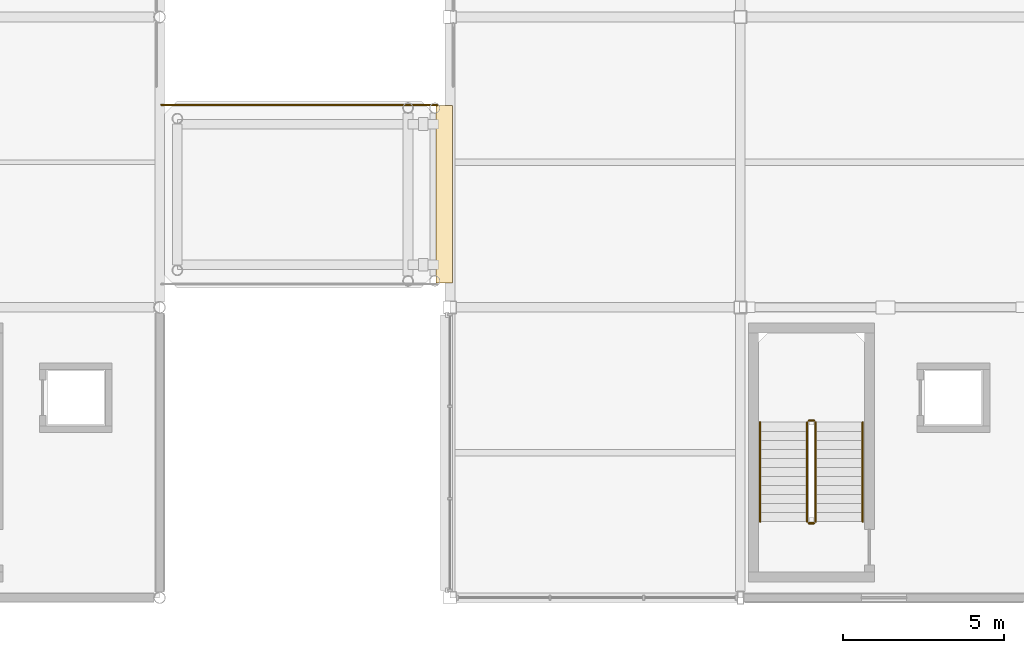
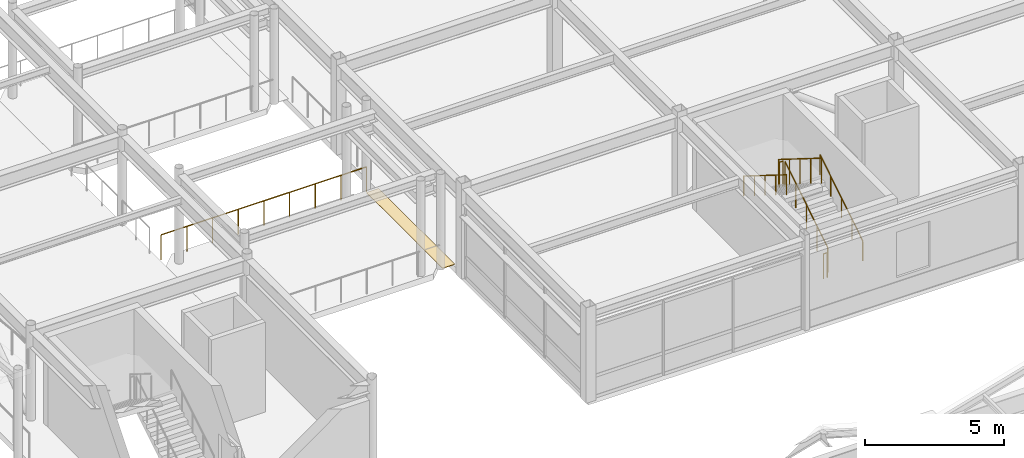
# One storey, part 97 of 108: 7 railings, 1 covering.
"""IFC4 building model written with IfcOpenShell, lengths in metres."""

from ifc_helpers import new_model, si_unit, direction, frame, origin, origin_2d, place, context, subcontext, project, spatial, polyline, circle, outline, extrude, material, layer, layer_set, type_object, element, save


model = new_model("IFC4")

# Units and contexts
model_context = context("Model", 3, precision=1e-05, world=origin(), true_north=direction((0.0, 1.0)))
body_context = subcontext(model_context, "Body", "Model", "MODEL_VIEW")
ifc_project = project(units=[si_unit("LENGTHUNIT", "METRE"), si_unit("AREAUNIT", "SQUARE_METRE"), si_unit("VOLUMEUNIT", "CUBIC_METRE"), si_unit("PLANEANGLEUNIT", "RADIAN"), si_unit("MASSUNIT", "GRAM", prefix="KILO")], contexts=[model_context])

# Site, building, storey
site_placement = place(None, origin())
site = spatial("IfcSite", under=ifc_project, at=site_placement, CompositionType="ELEMENT")
building_placement = place(site_placement, origin())
building = spatial("IfcBuilding", under=site, at=building_placement, Name="Suzunagisa Mobility Hub", CompositionType="ELEMENT")
storey_placement = place(building_placement, frame((0.0, 0.0, 9.300048828125)))
storey = spatial("IfcBuildingStorey", under=building, at=storey_placement, Name="L02", CompositionType="ELEMENT", Elevation=9.300048828125)

# Railings
ifc_material_1 = material(Name="Stainless Steel SUS304", Category="metal")
railing_type_1 = type_object("IfcRailingType", Name="Interior Well Guardrail IGR-01", PredefinedType="GUARDRAIL", material=ifc_material_1)
railing_1_placement = place(storey_placement, frame((56.330078125, 82.360107421875, 0.175048828125)))
element("IfcRailing", 1, at=railing_1_placement, inside=storey, type_object=railing_type_1, Name="L02 ST-07 stair guard 1", PredefinedType="GUARDRAIL", context=body_context, shape_type="SweptSolid", body=[
    extrude(circle(Radius=0.02392578125, at=origin_2d()), frame((0.0, 0.0, 1.09619140625), z_axis=(0.0, 0.848009633417, 0.529980812513), x_axis=(-1.0, 0.0, 0.0)), (0.0, 0.0, 1.0), 3.6318359375),
    extrude(circle(Radius=0.02099609375, at=origin_2d()), origin(), (0.0, 0.0, 1.0), 1.072021484375),
    extrude(circle(Radius=0.02099609375, at=origin_2d()), frame((0.0, 0.77001953125, 0.481201171875)), (0.0, 0.0, 1.0), 1.072021484375),
    extrude(circle(Radius=0.02099609375, at=origin_2d()), frame((0.0, 1.5400390625, 0.96240234375)), (0.0, 0.0, 1.0), 1.072021484375),
    extrude(circle(Radius=0.02099609375, at=origin_2d()), frame((0.0, 2.309814453125, 1.443603515625)), (0.0, 0.0, 1.0), 1.072021484375),
    extrude(circle(Radius=0.02099609375, at=origin_2d()), frame((0.0, 3.079833984375, 1.9248046875)), (0.0, 0.0, 1.0), 1.072021484375),
])
railing_2_placement = place(storey_placement, frame((56.280029296875, 85.489990234375, 2.099853515625)))
element("IfcRailing", 2, at=railing_2_placement, inside=storey, type_object=railing_type_1, Name="L02 ST-07 stair guard 2", PredefinedType="GUARDRAIL", context=body_context, shape_type="SweptSolid", body=[
    extrude(circle(Radius=0.02392578125, at=origin_2d()), frame((0.0, 0.0, 1.09619140625), z_axis=(-1.0, 0.0, 0.0), x_axis=(0.0, -1.0, 0.0)), (0.0, 0.0, 1.0), 0.159912109375),
    extrude(circle(Radius=0.02099609375, at=origin_2d()), origin(), (0.0, 0.0, 1.0), 1.072021484375),
    extrude(circle(Radius=0.02099609375, at=origin_2d()), frame((-0.159912109375, 0.0, 0.0)), (0.0, 0.0, 1.0), 1.072021484375),
])
railing_3_placement = place(storey_placement, frame((56.070068359375, 85.43994140625, 2.27490234375)))
element("IfcRailing", 3, at=railing_3_placement, inside=storey, type_object=railing_type_1, Name="L02 ST-07 stair guard 3", PredefinedType="GUARDRAIL", context=body_context, shape_type="SweptSolid", body=[
    extrude(circle(Radius=0.02392578125, at=origin_2d()), frame((0.0, 0.0, 1.09619140625), z_axis=(0.0, -0.847979421464, 0.530029150871), x_axis=(1.0, 0.0, 0.0)), (0.0, 0.0, 1.0), 3.632080078125),
    extrude(circle(Radius=0.02099609375, at=origin_2d()), origin(), (0.0, 0.0, 1.0), 1.072021484375),
    extrude(circle(Radius=0.02099609375, at=origin_2d()), frame((0.0, -0.77001953125, 0.481201171875)), (0.0, 0.0, 1.0), 1.072021484375),
    extrude(circle(Radius=0.02099609375, at=origin_2d()), frame((0.0, -1.5400390625, 0.96240234375)), (0.0, 0.0, 1.0), 1.072021484375),
    extrude(circle(Radius=0.02099609375, at=origin_2d()), frame((0.0, -2.309814453125, 1.44384765625)), (0.0, 0.0, 1.0), 1.072021484375),
    extrude(circle(Radius=0.02099609375, at=origin_2d()), frame((0.0, -3.079833984375, 1.925048828125)), (0.0, 0.0, 1.0), 1.072021484375),
])
railing_4_placement = place(storey_placement, frame((56.280029296875, 82.31005859375, 0.0)))
element("IfcRailing", 4, at=railing_4_placement, inside=storey, type_object=railing_type_1, Name="L02 ST-07 stair guard 4", PredefinedType="GUARDRAIL", context=body_context, shape_type="SweptSolid", body=[
    extrude(circle(Radius=0.02392578125, at=origin_2d()), frame((0.0, 0.0, 1.09619140625), z_axis=(-1.0, 0.0, 0.0), x_axis=(0.0, -1.0, 0.0)), (0.0, 0.0, 1.0), 0.159912109375),
    extrude(circle(Radius=0.02099609375, at=origin_2d()), origin(), (0.0, 0.0, 1.0), 1.072021484375),
    extrude(circle(Radius=0.02099609375, at=origin_2d()), frame((-0.159912109375, 0.0, 0.0)), (0.0, 0.0, 1.0), 1.072021484375),
])

# Covering
ifc_material_2 = material(Name="Polished Aggregate Terrazzo Finish")
ifc_layer = layer(ifc_material_2, 0.02001953125)
ifc_layer_set = layer_set([ifc_layer], Name="Polished Aggregate Terrazzo Finish")
covering_type = type_object("IfcCoveringType", Name="Polished Terrazzo Heavy-Traffic Flooring FLR-01", PredefinedType="FLOORING", material=ifc_layer_set)
covering_placement = place(storey_placement, frame((0.0, 0.0, -0.02001953125)))
element("IfcCovering", 5, at=covering_placement, inside=storey, type_object=covering_type, Name="L02 Flush Hinged Seismic Threshold Plate VRL-L02-S", PredefinedType="FLOORING", context=body_context, shape_type="SweptSolid", body=[
    extrude(outline(polyline([(44.570068359375, 89.75), (45.080078125, 89.75), (45.080078125, 95.25), (44.570068359375, 95.25), (44.570068359375, 89.75)])), origin(), (0.0, 0.0, 1.0), 0.02001953125),
])

# Railings
ifc_material_3 = material(Name="Stainless Steel SUS316", Category="metal")
railing_type_2 = type_object("IfcRailingType", Name="Terrace Stainless Steel Guardrail GR-01", PredefinedType="GUARDRAIL", material=ifc_material_3)
railing_5_placement = place(storey_placement, frame((36.050048828125, 95.280029296875, 0.0)))
element("IfcRailing", 6, at=railing_5_placement, inside=storey, type_object=railing_type_2, Name="L02 Bridge Edge Guardrail VRL-L02-S-80", PredefinedType="GUARDRAIL", context=body_context, shape_type="SweptSolid", body=[
    extrude(circle(Radius=0.02392578125, at=origin_2d()), frame((0.0, 0.0, 1.09619140625), z_axis=(1.0, 0.0, 0.0), x_axis=(0.0, 1.0, 0.0)), (0.0, 0.0, 1.0), 8.550048828125),
    extrude(circle(Radius=0.02099609375, at=origin_2d()), origin(), (0.0, 0.0, 1.0), 1.072021484375),
    extrude(circle(Radius=0.02099609375, at=origin_2d()), frame((1.06884765625, 0.0, 0.0)), (0.0, 0.0, 1.0), 1.072021484375),
    extrude(circle(Radius=0.02099609375, at=origin_2d()), frame((2.137451171875, 0.0, 0.0)), (0.0, 0.0, 1.0), 1.072021484375),
    extrude(circle(Radius=0.02099609375, at=origin_2d()), frame((3.206298828125, 0.0, 0.0)), (0.0, 0.0, 1.0), 1.072021484375),
    extrude(circle(Radius=0.02099609375, at=origin_2d()), frame((4.27490234375, 0.0, 0.0)), (0.0, 0.0, 1.0), 1.072021484375),
    extrude(circle(Radius=0.02099609375, at=origin_2d()), frame((5.34375, 0.0, 0.0)), (0.0, 0.0, 1.0), 1.072021484375),
    extrude(circle(Radius=0.02099609375, at=origin_2d()), frame((6.41259765625, 0.0, 0.0)), (0.0, 0.0, 1.0), 1.072021484375),
    extrude(circle(Radius=0.02099609375, at=origin_2d()), frame((7.481201171875, 0.0, 0.0)), (0.0, 0.0, 1.0), 1.072021484375),
    extrude(circle(Radius=0.02099609375, at=origin_2d()), frame((8.550048828125, 0.0, 0.0)), (0.0, 0.0, 1.0), 1.072021484375),
])
railing_type_3 = type_object("IfcRailingType", Name="Tubular Stainless Stair Handrail IHR-01", PredefinedType="HANDRAIL", material=ifc_material_1)
railing_6_placement = place(storey_placement, frame((57.7900390625, 82.360107421875, 0.175048828125)))
element("IfcRailing", 7, at=railing_6_placement, inside=storey, type_object=railing_type_3, Name="L02 ST-07 stair handrail 1", PredefinedType="HANDRAIL", context=body_context, shape_type="SweptSolid", body=[
    extrude(circle(Radius=0.02392578125, at=origin_2d()), frame((0.0, 0.0, 0.8759765625), z_axis=(0.0, 0.848009633417, 0.529980812513), x_axis=(-1.0, 0.0, 0.0)), (0.0, 0.0, 1.0), 3.6318359375),
    extrude(circle(Radius=0.02099609375, at=origin_2d()), origin(), (0.0, 0.0, 1.0), 0.851806640625),
    extrude(circle(Radius=0.02099609375, at=origin_2d()), frame((0.0, 0.77001953125, 0.481201171875)), (0.0, 0.0, 1.0), 0.851806640625),
    extrude(circle(Radius=0.02099609375, at=origin_2d()), frame((0.0, 1.5400390625, 0.96240234375)), (0.0, 0.0, 1.0), 0.851806640625),
    extrude(circle(Radius=0.02099609375, at=origin_2d()), frame((0.0, 2.309814453125, 1.443603515625)), (0.0, 0.0, 1.0), 0.851806640625),
    extrude(circle(Radius=0.02099609375, at=origin_2d()), frame((0.0, 3.079833984375, 1.9248046875)), (0.0, 0.0, 1.0), 0.851806640625),
])
railing_7_placement = place(storey_placement, frame((54.610107421875, 85.43994140625, 2.27490234375)))
element("IfcRailing", 8, at=railing_7_placement, inside=storey, type_object=railing_type_3, Name="L02 ST-07 stair handrail 2", PredefinedType="HANDRAIL", context=body_context, shape_type="SweptSolid", body=[
    extrude(circle(Radius=0.02392578125, at=origin_2d()), frame((0.0, 0.0, 0.8759765625), z_axis=(0.0, -0.847979421464, 0.530029150871), x_axis=(1.0, 0.0, 0.0)), (0.0, 0.0, 1.0), 3.632080078125),
    extrude(circle(Radius=0.02099609375, at=origin_2d()), origin(), (0.0, 0.0, 1.0), 0.851806640625),
    extrude(circle(Radius=0.02099609375, at=origin_2d()), frame((0.0, -0.77001953125, 0.481201171875)), (0.0, 0.0, 1.0), 0.851806640625),
    extrude(circle(Radius=0.02099609375, at=origin_2d()), frame((0.0, -1.5400390625, 0.96240234375)), (0.0, 0.0, 1.0), 0.851806640625),
    extrude(circle(Radius=0.02099609375, at=origin_2d()), frame((0.0, -2.309814453125, 1.44384765625)), (0.0, 0.0, 1.0), 0.851806640625),
    extrude(circle(Radius=0.02099609375, at=origin_2d()), frame((0.0, -3.079833984375, 1.925048828125)), (0.0, 0.0, 1.0), 0.851806640625),
])

save(model, "model.ifc")
